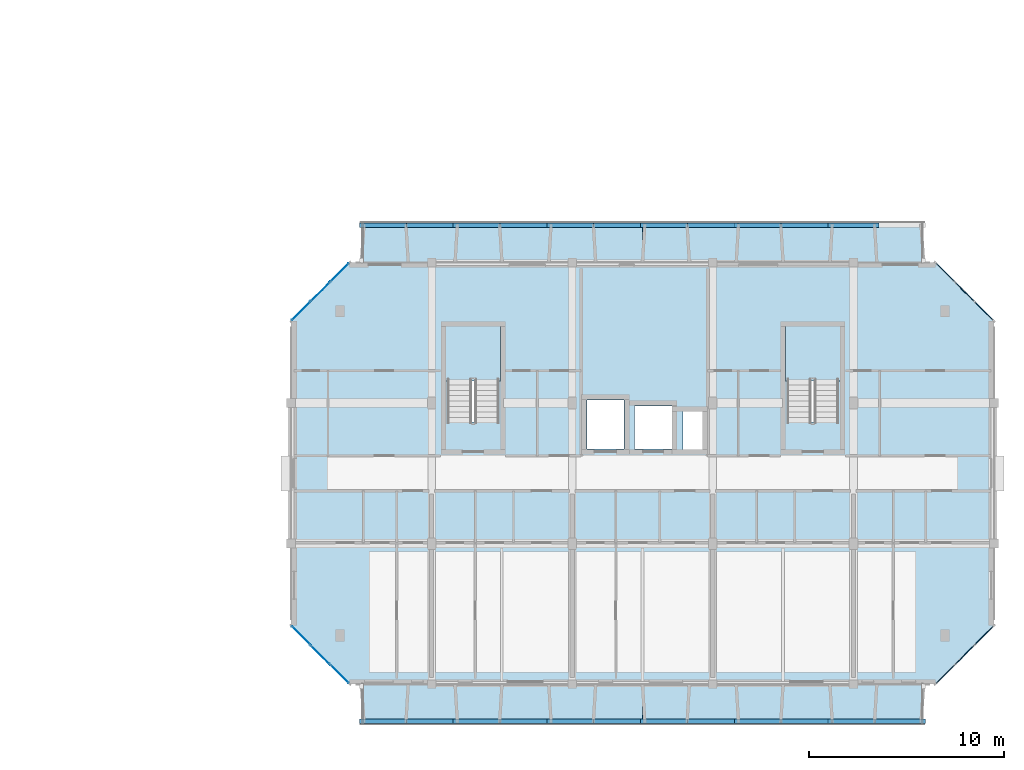
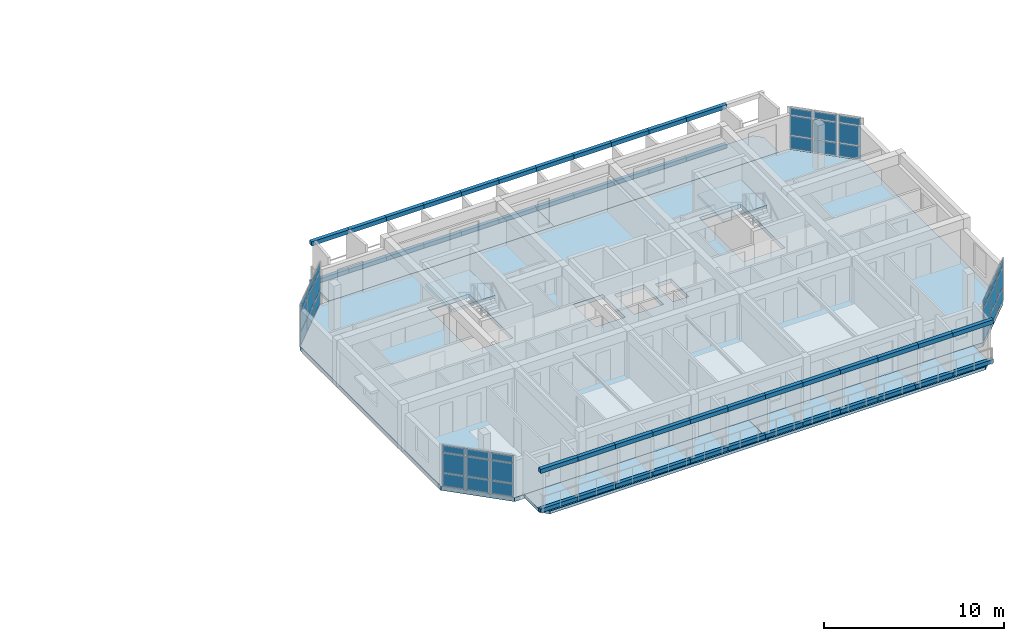
# One storey, part 16 of 43: 82 plates, 7 slabs, 6 elements without a shape of their own.
"""IFC4 building model written with IfcOpenShell, lengths in metres."""

from ifc_helpers import new_model, si_unit, direction, frame, origin, origin_2d, place, context, subcontext, project, spatial, polyline, rectangle, outline, extrude, material, layer, layer_set, type_object, element, aggregate, save


model = new_model("IFC4")

# Units and contexts
model_context = context("Model", 3, precision=1e-05, world=origin(), true_north=direction((0.0, 1.0)))
body_context = subcontext(model_context, "Body", "Model", "MODEL_VIEW")
ifc_project = project(units=[si_unit("LENGTHUNIT", "METRE"), si_unit("AREAUNIT", "SQUARE_METRE"), si_unit("VOLUMEUNIT", "CUBIC_METRE"), si_unit("PLANEANGLEUNIT", "RADIAN"), si_unit("MASSUNIT", "GRAM", prefix="KILO")], contexts=[model_context])

# Site, building, storey
site_placement = place(None, origin())
site = spatial("IfcSite", under=ifc_project, at=site_placement, CompositionType="ELEMENT")
building_placement = place(site_placement, origin())
building = spatial("IfcBuilding", under=site, at=building_placement, Name="Ochrevale Crest", CompositionType="ELEMENT")
storey_placement = place(building_placement, frame((0.0, 0.0, 30.75)))
storey = spatial("IfcBuildingStorey", under=building, at=storey_placement, Name="L09", CompositionType="ELEMENT", Elevation=30.75)

# Curtain wall, plates
ifc_material_1 = material(Name="Anodised aluminium 6063-T5", Category="aluminium")
ifc_layer_1 = layer(ifc_material_1, 0.14990234375)
ifc_layer_set_1 = layer_set([ifc_layer_1], Name="Anodised aluminium 6063-T5")
curtain_wall_type_1 = type_object("IfcCurtainWallType", Name="CW-WG-240x285", PredefinedType="NOTDEFINED", material=ifc_layer_set_1)
curtain_wall_1_placement = place(storey_placement, origin())
curtain_wall_1 = element("IfcCurtainWall", 1, at=curtain_wall_1_placement, inside=storey, type_object=curtain_wall_type_1, Name="Block C L09 chamfered corner wintergarden curtain wall 6", PredefinedType="NOTDEFINED")
ifc_material_2 = material(Name="Double-glazed low-E insulated glass unit", Category="glass")
ifc_layer_2 = layer(ifc_material_2, 0.028076171875)
ifc_layer_set_2 = layer_set([ifc_layer_2], Name="Double-glazed low-E insulated glass unit")
plate_type_1 = type_object("IfcPlateType", Name="CW-PNL-IGU28", PredefinedType="CURTAIN_PANEL", material=ifc_layer_set_2)
plate_1_placement = place(storey_placement, frame((132.086669921875, 35.48681640625, 0.06005859375), z_axis=(0.0, 0.0, 1.0), x_axis=(-0.707106781187, -0.707106781187, 0.0)))
plate_1 = element("IfcPlate", 2, at=plate_1_placement, type_object=plate_type_1, Name="CW15 panel 1.1", PredefinedType="CURTAIN_PANEL", context=body_context, shape_type="SweptSolid", body=[
    extrude(rectangle(XDim=1.3017578125, YDim=0.028076171875, at=origin_2d()), origin(), (0.0, 0.0, 1.0), 0.860107421875),
])
plate_2_placement = place(storey_placement, frame((132.086669921875, 35.48681640625, 0.97998046875), z_axis=(0.0, 0.0, 1.0), x_axis=(-0.707106781187, -0.707106781187, 0.0)))
plate_2 = element("IfcPlate", 3, at=plate_2_placement, type_object=plate_type_1, Name="CW15 panel 1.2", PredefinedType="CURTAIN_PANEL", context=body_context, shape_type="SweptSolid", body=[
    extrude(rectangle(XDim=1.3017578125, YDim=0.028076171875, at=origin_2d()), origin(), (0.0, 0.0, 1.0), 1.31494140625),
])
plate_3_placement = place(storey_placement, frame((132.086669921875, 35.48681640625, 2.35498046875), z_axis=(0.0, 0.0, 1.0), x_axis=(-0.707106781187, -0.707106781187, 0.0)))
plate_3 = element("IfcPlate", 4, at=plate_3_placement, type_object=plate_type_1, Name="CW15 panel 1.3", PredefinedType="CURTAIN_PANEL", context=body_context, shape_type="SweptSolid", body=[
    extrude(rectangle(XDim=1.3017578125, YDim=0.028076171875, at=origin_2d()), origin(), (0.0, 0.0, 1.0), 0.4599609375),
])
plate_4_placement = place(storey_placement, frame((131.10009765625, 34.5, 0.06005859375), z_axis=(0.0, 0.0, 1.0), x_axis=(-0.707106781187, -0.707106781187, 0.0)))
plate_4 = element("IfcPlate", 5, at=plate_4_placement, type_object=plate_type_1, Name="CW15 panel 2.1", PredefinedType="CURTAIN_PANEL", context=body_context, shape_type="SweptSolid", body=[
    extrude(rectangle(XDim=1.339111328125, YDim=0.028076171875, at=origin_2d()), origin(), (0.0, 0.0, 1.0), 0.860107421875),
])
plate_5_placement = place(storey_placement, frame((131.10009765625, 34.5, 0.97998046875), z_axis=(0.0, 0.0, 1.0), x_axis=(-0.707106781187, -0.707106781187, 0.0)))
plate_5 = element("IfcPlate", 6, at=plate_5_placement, type_object=plate_type_1, Name="CW15 panel 2.2", PredefinedType="CURTAIN_PANEL", context=body_context, shape_type="SweptSolid", body=[
    extrude(rectangle(XDim=1.339111328125, YDim=0.028076171875, at=origin_2d()), origin(), (0.0, 0.0, 1.0), 1.31494140625),
])
plate_6_placement = place(storey_placement, frame((131.10009765625, 34.5, 2.35498046875), z_axis=(0.0, 0.0, 1.0), x_axis=(-0.707106781187, -0.707106781187, 0.0)))
plate_6 = element("IfcPlate", 7, at=plate_6_placement, type_object=plate_type_1, Name="CW15 panel 2.3", PredefinedType="CURTAIN_PANEL", context=body_context, shape_type="SweptSolid", body=[
    extrude(rectangle(XDim=1.339111328125, YDim=0.028076171875, at=origin_2d()), origin(), (0.0, 0.0, 1.0), 0.4599609375),
])
plate_7_placement = place(storey_placement, frame((130.11328125, 33.51318359375, 0.06005859375), z_axis=(0.0, 0.0, 1.0), x_axis=(-0.707106781187, -0.707106781187, 0.0)))
plate_7 = element("IfcPlate", 8, at=plate_7_placement, type_object=plate_type_1, Name="CW15 panel 3.1", PredefinedType="CURTAIN_PANEL", context=body_context, shape_type="SweptSolid", body=[
    extrude(rectangle(XDim=1.3017578125, YDim=0.028076171875, at=origin_2d()), origin(), (0.0, 0.0, 1.0), 0.860107421875),
])
plate_8_placement = place(storey_placement, frame((130.11328125, 33.51318359375, 0.97998046875), z_axis=(0.0, 0.0, 1.0), x_axis=(-0.707106781187, -0.707106781187, 0.0)))
plate_8 = element("IfcPlate", 9, at=plate_8_placement, type_object=plate_type_1, Name="CW15 panel 3.2", PredefinedType="CURTAIN_PANEL", context=body_context, shape_type="SweptSolid", body=[
    extrude(rectangle(XDim=1.3017578125, YDim=0.028076171875, at=origin_2d()), origin(), (0.0, 0.0, 1.0), 1.31494140625),
])
plate_9_placement = place(storey_placement, frame((130.11328125, 33.51318359375, 2.35498046875), z_axis=(0.0, 0.0, 1.0), x_axis=(-0.707106781187, -0.707106781187, 0.0)))
plate_9 = element("IfcPlate", 10, at=plate_9_placement, type_object=plate_type_1, Name="CW15 panel 3.3", PredefinedType="CURTAIN_PANEL", context=body_context, shape_type="SweptSolid", body=[
    extrude(rectangle(XDim=1.3017578125, YDim=0.028076171875, at=origin_2d()), origin(), (0.0, 0.0, 1.0), 0.4599609375),
])
aggregate(curtain_wall_1, [plate_1, plate_2, plate_3, plate_4, plate_5, plate_6, plate_7, plate_8, plate_9])

ifc_layer_3 = layer(ifc_material_1, 0.14990234375)
ifc_layer_set_3 = layer_set([ifc_layer_3], Name="Anodised aluminium 6063-T5")
curtain_wall_type_2 = type_object("IfcCurtainWallType", Name="CW-WG-320x285", PredefinedType="NOTDEFINED", material=ifc_layer_set_3)
curtain_wall_2_placement = place(storey_placement, origin())
curtain_wall_2 = element("IfcCurtainWall", 11, at=curtain_wall_2_placement, inside=storey, type_object=curtain_wall_type_2, Name="Block C L09 chamfered corner wintergarden curtain wall 8", PredefinedType="NOTDEFINED")
plate_10_placement = place(storey_placement, frame((130.11328125, 16.88671875, 0.06005859375), z_axis=(0.0, 0.0, 1.0), x_axis=(0.707106781187, -0.707106781187, 0.0)))
plate_10 = element("IfcPlate", 12, at=plate_10_placement, type_object=plate_type_1, Name="CW17 panel 1.1", PredefinedType="CURTAIN_PANEL", context=body_context, shape_type="SweptSolid", body=[
    extrude(rectangle(XDim=1.3017578125, YDim=0.028076171875, at=origin_2d()), origin(), (0.0, 0.0, 1.0), 0.860107421875),
])
plate_11_placement = place(storey_placement, frame((130.11328125, 16.88671875, 0.97998046875), z_axis=(0.0, 0.0, 1.0), x_axis=(0.707106781187, -0.707106781187, 0.0)))
plate_11 = element("IfcPlate", 13, at=plate_11_placement, type_object=plate_type_1, Name="CW17 panel 1.2", PredefinedType="CURTAIN_PANEL", context=body_context, shape_type="SweptSolid", body=[
    extrude(rectangle(XDim=1.3017578125, YDim=0.028076171875, at=origin_2d()), origin(), (0.0, 0.0, 1.0), 1.31494140625),
])
plate_12_placement = place(storey_placement, frame((130.11328125, 16.88671875, 2.35498046875), z_axis=(0.0, 0.0, 1.0), x_axis=(0.707106781187, -0.707106781187, 0.0)))
plate_12 = element("IfcPlate", 14, at=plate_12_placement, type_object=plate_type_1, Name="CW17 panel 1.3", PredefinedType="CURTAIN_PANEL", context=body_context, shape_type="SweptSolid", body=[
    extrude(rectangle(XDim=1.3017578125, YDim=0.028076171875, at=origin_2d()), origin(), (0.0, 0.0, 1.0), 0.4599609375),
])
plate_13_placement = place(storey_placement, frame((131.10009765625, 15.89990234375, 0.06005859375), z_axis=(0.0, 0.0, 1.0), x_axis=(0.707106781187, -0.707106781187, 0.0)))
plate_13 = element("IfcPlate", 15, at=plate_13_placement, type_object=plate_type_1, Name="CW17 panel 2.1", PredefinedType="CURTAIN_PANEL", context=body_context, shape_type="SweptSolid", body=[
    extrude(rectangle(XDim=1.339111328125, YDim=0.028076171875, at=origin_2d()), origin(), (0.0, 0.0, 1.0), 0.860107421875),
])
plate_14_placement = place(storey_placement, frame((131.10009765625, 15.89990234375, 0.97998046875), z_axis=(0.0, 0.0, 1.0), x_axis=(0.707106781187, -0.707106781187, 0.0)))
plate_14 = element("IfcPlate", 16, at=plate_14_placement, type_object=plate_type_1, Name="CW17 panel 2.2", PredefinedType="CURTAIN_PANEL", context=body_context, shape_type="SweptSolid", body=[
    extrude(rectangle(XDim=1.339111328125, YDim=0.028076171875, at=origin_2d()), origin(), (0.0, 0.0, 1.0), 1.31494140625),
])
plate_15_placement = place(storey_placement, frame((131.10009765625, 15.89990234375, 2.35498046875), z_axis=(0.0, 0.0, 1.0), x_axis=(0.707106781187, -0.707106781187, 0.0)))
plate_15 = element("IfcPlate", 17, at=plate_15_placement, type_object=plate_type_1, Name="CW17 panel 2.3", PredefinedType="CURTAIN_PANEL", context=body_context, shape_type="SweptSolid", body=[
    extrude(rectangle(XDim=1.339111328125, YDim=0.028076171875, at=origin_2d()), origin(), (0.0, 0.0, 1.0), 0.4599609375),
])
plate_16_placement = place(storey_placement, frame((132.086669921875, 14.913330078125, 0.06005859375), z_axis=(0.0, 0.0, 1.0), x_axis=(0.707106781187, -0.707106781187, 0.0)))
plate_16 = element("IfcPlate", 18, at=plate_16_placement, type_object=plate_type_1, Name="CW17 panel 3.1", PredefinedType="CURTAIN_PANEL", context=body_context, shape_type="SweptSolid", body=[
    extrude(rectangle(XDim=1.3017578125, YDim=0.028076171875, at=origin_2d()), origin(), (0.0, 0.0, 1.0), 0.860107421875),
])
plate_17_placement = place(storey_placement, frame((132.086669921875, 14.913330078125, 0.97998046875), z_axis=(0.0, 0.0, 1.0), x_axis=(0.707106781187, -0.707106781187, 0.0)))
plate_17 = element("IfcPlate", 19, at=plate_17_placement, type_object=plate_type_1, Name="CW17 panel 3.2", PredefinedType="CURTAIN_PANEL", context=body_context, shape_type="SweptSolid", body=[
    extrude(rectangle(XDim=1.3017578125, YDim=0.028076171875, at=origin_2d()), origin(), (0.0, 0.0, 1.0), 1.31494140625),
])
plate_18_placement = place(storey_placement, frame((132.086669921875, 14.913330078125, 2.35498046875), z_axis=(0.0, 0.0, 1.0), x_axis=(0.707106781187, -0.707106781187, 0.0)))
plate_18 = element("IfcPlate", 20, at=plate_18_placement, type_object=plate_type_1, Name="CW17 panel 3.3", PredefinedType="CURTAIN_PANEL", context=body_context, shape_type="SweptSolid", body=[
    extrude(rectangle(XDim=1.3017578125, YDim=0.028076171875, at=origin_2d()), origin(), (0.0, 0.0, 1.0), 0.4599609375),
])
aggregate(curtain_wall_2, [plate_10, plate_11, plate_12, plate_13, plate_14, plate_15, plate_16, plate_17, plate_18])

ifc_layer_4 = layer(ifc_material_1, 0.14990234375)
ifc_layer_set_4 = layer_set([ifc_layer_4], Name="Anodised aluminium 6063-T5")
curtain_wall_type_3 = type_object("IfcCurtainWallType", Name="CW-WG-280x285", PredefinedType="NOTDEFINED", material=ifc_layer_set_4)
curtain_wall_3_placement = place(storey_placement, origin())
curtain_wall_3 = element("IfcCurtainWall", 21, at=curtain_wall_3_placement, inside=storey, type_object=curtain_wall_type_3, Name="Block C L09 chamfered corner wintergarden curtain wall 2", PredefinedType="NOTDEFINED")
ifc_material_3 = material(Name="Acoustic laminated low-E insulated glass unit", Category="glass")
ifc_layer_5 = layer(ifc_material_3, 0.0380859375)
ifc_layer_set_5 = layer_set([ifc_layer_5], Name="Acoustic laminated low-E insulated glass unit")
plate_type_2 = type_object("IfcPlateType", Name="CW-PNL-IGU38", PredefinedType="CURTAIN_PANEL", material=ifc_layer_set_5)
plate_19_placement = place(storey_placement, frame((163.11328125, 14.913330078125, 0.06005859375), z_axis=(0.0, 0.0, 1.0), x_axis=(0.707106781187, 0.707106781187, 0.0)))
plate_19 = element("IfcPlate", 22, at=plate_19_placement, type_object=plate_type_2, Name="CW16 panel 1.1", PredefinedType="CURTAIN_PANEL", context=body_context, shape_type="SweptSolid", body=[
    extrude(rectangle(XDim=1.3017578125, YDim=0.0380859375, at=origin_2d()), origin(), (0.0, 0.0, 1.0), 0.860107421875),
])
plate_20_placement = place(storey_placement, frame((163.11328125, 14.913330078125, 0.97998046875), z_axis=(0.0, 0.0, 1.0), x_axis=(0.707106781187, 0.707106781187, 0.0)))
plate_20 = element("IfcPlate", 23, at=plate_20_placement, type_object=plate_type_2, Name="CW16 panel 1.2", PredefinedType="CURTAIN_PANEL", context=body_context, shape_type="SweptSolid", body=[
    extrude(rectangle(XDim=1.3017578125, YDim=0.0380859375, at=origin_2d()), origin(), (0.0, 0.0, 1.0), 1.31494140625),
])
plate_21_placement = place(storey_placement, frame((163.11328125, 14.913330078125, 2.35498046875), z_axis=(0.0, 0.0, 1.0), x_axis=(0.707106781187, 0.707106781187, 0.0)))
plate_21 = element("IfcPlate", 24, at=plate_21_placement, type_object=plate_type_2, Name="CW16 panel 1.3", PredefinedType="CURTAIN_PANEL", context=body_context, shape_type="SweptSolid", body=[
    extrude(rectangle(XDim=1.3017578125, YDim=0.0380859375, at=origin_2d()), origin(), (0.0, 0.0, 1.0), 0.4599609375),
])
plate_22_placement = place(storey_placement, frame((164.10009765625, 15.89990234375, 0.06005859375), z_axis=(0.0, 0.0, 1.0), x_axis=(0.707106781187, 0.707106781187, 0.0)))
plate_22 = element("IfcPlate", 25, at=plate_22_placement, type_object=plate_type_2, Name="CW16 panel 2.1", PredefinedType="CURTAIN_PANEL", context=body_context, shape_type="SweptSolid", body=[
    extrude(rectangle(XDim=1.339111328125, YDim=0.0380859375, at=origin_2d()), origin(), (0.0, 0.0, 1.0), 0.860107421875),
])
plate_23_placement = place(storey_placement, frame((164.10009765625, 15.89990234375, 0.97998046875), z_axis=(0.0, 0.0, 1.0), x_axis=(0.707106781187, 0.707106781187, 0.0)))
plate_23 = element("IfcPlate", 26, at=plate_23_placement, type_object=plate_type_2, Name="CW16 panel 2.2", PredefinedType="CURTAIN_PANEL", context=body_context, shape_type="SweptSolid", body=[
    extrude(rectangle(XDim=1.339111328125, YDim=0.0380859375, at=origin_2d()), origin(), (0.0, 0.0, 1.0), 1.31494140625),
])
plate_24_placement = place(storey_placement, frame((164.10009765625, 15.89990234375, 2.35498046875), z_axis=(0.0, 0.0, 1.0), x_axis=(0.707106781187, 0.707106781187, 0.0)))
plate_24 = element("IfcPlate", 27, at=plate_24_placement, type_object=plate_type_2, Name="CW16 panel 2.3", PredefinedType="CURTAIN_PANEL", context=body_context, shape_type="SweptSolid", body=[
    extrude(rectangle(XDim=1.339111328125, YDim=0.0380859375, at=origin_2d()), origin(), (0.0, 0.0, 1.0), 0.4599609375),
])
plate_25_placement = place(storey_placement, frame((165.086669921875, 16.88671875, 0.06005859375), z_axis=(0.0, 0.0, 1.0), x_axis=(0.707106781187, 0.707106781187, 0.0)))
plate_25 = element("IfcPlate", 28, at=plate_25_placement, type_object=plate_type_2, Name="CW16 panel 3.1", PredefinedType="CURTAIN_PANEL", context=body_context, shape_type="SweptSolid", body=[
    extrude(rectangle(XDim=1.3017578125, YDim=0.0380859375, at=origin_2d()), origin(), (0.0, 0.0, 1.0), 0.860107421875),
])
plate_26_placement = place(storey_placement, frame((165.086669921875, 16.88671875, 0.97998046875), z_axis=(0.0, 0.0, 1.0), x_axis=(0.707106781187, 0.707106781187, 0.0)))
plate_26 = element("IfcPlate", 29, at=plate_26_placement, type_object=plate_type_2, Name="CW16 panel 3.2", PredefinedType="CURTAIN_PANEL", context=body_context, shape_type="SweptSolid", body=[
    extrude(rectangle(XDim=1.3017578125, YDim=0.0380859375, at=origin_2d()), origin(), (0.0, 0.0, 1.0), 1.31494140625),
])
plate_27_placement = place(storey_placement, frame((165.086669921875, 16.88671875, 2.35498046875), z_axis=(0.0, 0.0, 1.0), x_axis=(0.707106781187, 0.707106781187, 0.0)))
plate_27 = element("IfcPlate", 30, at=plate_27_placement, type_object=plate_type_2, Name="CW16 panel 3.3", PredefinedType="CURTAIN_PANEL", context=body_context, shape_type="SweptSolid", body=[
    extrude(rectangle(XDim=1.3017578125, YDim=0.0380859375, at=origin_2d()), origin(), (0.0, 0.0, 1.0), 0.4599609375),
])
aggregate(curtain_wall_3, [plate_19, plate_20, plate_21, plate_22, plate_23, plate_24, plate_25, plate_26, plate_27])

ifc_layer_6 = layer(ifc_material_1, 0.14990234375)
ifc_layer_set_6 = layer_set([ifc_layer_6], Name="Anodised aluminium 6063-T5")
curtain_wall_type_4 = type_object("IfcCurtainWallType", Name="CW-WG-360x285", PredefinedType="NOTDEFINED", material=ifc_layer_set_6)
curtain_wall_4_placement = place(storey_placement, origin())
curtain_wall_4 = element("IfcCurtainWall", 31, at=curtain_wall_4_placement, inside=storey, type_object=curtain_wall_type_4, Name="Block C L09 chamfered corner wintergarden curtain wall 4", PredefinedType="NOTDEFINED")
plate_28_placement = place(storey_placement, frame((165.086669921875, 33.51318359375, 0.06005859375), z_axis=(0.0, 0.0, 1.0), x_axis=(-0.707106781187, 0.707106781187, 0.0)))
plate_28 = element("IfcPlate", 32, at=plate_28_placement, type_object=plate_type_2, Name="CW18 panel 1.1", PredefinedType="CURTAIN_PANEL", context=body_context, shape_type="SweptSolid", body=[
    extrude(rectangle(XDim=1.3017578125, YDim=0.0380859375, at=origin_2d()), origin(), (0.0, 0.0, 1.0), 0.860107421875),
])
plate_29_placement = place(storey_placement, frame((165.086669921875, 33.51318359375, 0.97998046875), z_axis=(0.0, 0.0, 1.0), x_axis=(-0.707106781187, 0.707106781187, 0.0)))
plate_29 = element("IfcPlate", 33, at=plate_29_placement, type_object=plate_type_2, Name="CW18 panel 1.2", PredefinedType="CURTAIN_PANEL", context=body_context, shape_type="SweptSolid", body=[
    extrude(rectangle(XDim=1.3017578125, YDim=0.0380859375, at=origin_2d()), origin(), (0.0, 0.0, 1.0), 1.31494140625),
])
plate_30_placement = place(storey_placement, frame((165.086669921875, 33.51318359375, 2.35498046875), z_axis=(0.0, 0.0, 1.0), x_axis=(-0.707106781187, 0.707106781187, 0.0)))
plate_30 = element("IfcPlate", 34, at=plate_30_placement, type_object=plate_type_2, Name="CW18 panel 1.3", PredefinedType="CURTAIN_PANEL", context=body_context, shape_type="SweptSolid", body=[
    extrude(rectangle(XDim=1.3017578125, YDim=0.0380859375, at=origin_2d()), origin(), (0.0, 0.0, 1.0), 0.4599609375),
])
plate_31_placement = place(storey_placement, frame((164.10009765625, 34.5, 0.06005859375), z_axis=(0.0, 0.0, 1.0), x_axis=(-0.707106781187, 0.707106781187, 0.0)))
plate_31 = element("IfcPlate", 35, at=plate_31_placement, type_object=plate_type_2, Name="CW18 panel 2.1", PredefinedType="CURTAIN_PANEL", context=body_context, shape_type="SweptSolid", body=[
    extrude(rectangle(XDim=1.339111328125, YDim=0.0380859375, at=origin_2d()), origin(), (0.0, 0.0, 1.0), 0.860107421875),
])
plate_32_placement = place(storey_placement, frame((164.10009765625, 34.5, 0.97998046875), z_axis=(0.0, 0.0, 1.0), x_axis=(-0.707106781187, 0.707106781187, 0.0)))
plate_32 = element("IfcPlate", 36, at=plate_32_placement, type_object=plate_type_2, Name="CW18 panel 2.2", PredefinedType="CURTAIN_PANEL", context=body_context, shape_type="SweptSolid", body=[
    extrude(rectangle(XDim=1.339111328125, YDim=0.0380859375, at=origin_2d()), origin(), (0.0, 0.0, 1.0), 1.31494140625),
])
plate_33_placement = place(storey_placement, frame((164.10009765625, 34.5, 2.35498046875), z_axis=(0.0, 0.0, 1.0), x_axis=(-0.707106781187, 0.707106781187, 0.0)))
plate_33 = element("IfcPlate", 37, at=plate_33_placement, type_object=plate_type_2, Name="CW18 panel 2.3", PredefinedType="CURTAIN_PANEL", context=body_context, shape_type="SweptSolid", body=[
    extrude(rectangle(XDim=1.339111328125, YDim=0.0380859375, at=origin_2d()), origin(), (0.0, 0.0, 1.0), 0.4599609375),
])
plate_34_placement = place(storey_placement, frame((163.11328125, 35.48681640625, 0.06005859375), z_axis=(0.0, 0.0, 1.0), x_axis=(-0.707106781187, 0.707106781187, 0.0)))
plate_34 = element("IfcPlate", 38, at=plate_34_placement, type_object=plate_type_2, Name="CW18 panel 3.1", PredefinedType="CURTAIN_PANEL", context=body_context, shape_type="SweptSolid", body=[
    extrude(rectangle(XDim=1.3017578125, YDim=0.0380859375, at=origin_2d()), origin(), (0.0, 0.0, 1.0), 0.860107421875),
])
plate_35_placement = place(storey_placement, frame((163.11328125, 35.48681640625, 0.97998046875), z_axis=(0.0, 0.0, 1.0), x_axis=(-0.707106781187, 0.707106781187, 0.0)))
plate_35 = element("IfcPlate", 39, at=plate_35_placement, type_object=plate_type_2, Name="CW18 panel 3.2", PredefinedType="CURTAIN_PANEL", context=body_context, shape_type="SweptSolid", body=[
    extrude(rectangle(XDim=1.3017578125, YDim=0.0380859375, at=origin_2d()), origin(), (0.0, 0.0, 1.0), 1.31494140625),
])
plate_36_placement = place(storey_placement, frame((163.11328125, 35.48681640625, 2.35498046875), z_axis=(0.0, 0.0, 1.0), x_axis=(-0.707106781187, 0.707106781187, 0.0)))
plate_36 = element("IfcPlate", 40, at=plate_36_placement, type_object=plate_type_2, Name="CW18 panel 3.3", PredefinedType="CURTAIN_PANEL", context=body_context, shape_type="SweptSolid", body=[
    extrude(rectangle(XDim=1.3017578125, YDim=0.0380859375, at=origin_2d()), origin(), (0.0, 0.0, 1.0), 0.4599609375),
])
aggregate(curtain_wall_4, [plate_28, plate_29, plate_30, plate_31, plate_32, plate_33, plate_34, plate_35, plate_36])

# Plates
ifc_material_4 = material(Name="Precast concrete C40/50", Category="concrete")
ifc_layer_7 = layer(ifc_material_4, 0.06005859375)
ifc_layer_set_7 = layer_set([ifc_layer_7], Name="Precast concrete C40/50")
plate_type_3 = type_object("IfcPlateType", Name="PLT-HC-HEAD-60", PredefinedType="USERDEFINED", material=ifc_layer_set_7)
for number, where, z_axis, x_axis, name in (
    (41, (134.39990234375, 12.5, 2.669921875), (0.0, 0.0, 1.0), (1.0, 0.0, 0.0), "Block C L09 S honeycomb arched lintel fascia 1"),
    (42, (136.800048828125, 12.5, 2.669921875), (0.0, 0.0, 1.0), (1.0, 0.0, 0.0), "Block C L09 S honeycomb arched lintel fascia 2"),
    (43, (139.199951171875, 12.5, 2.669921875), (0.0, 0.0, 1.0), (1.0, 0.0, 0.0), "Block C L09 S honeycomb arched lintel fascia 3"),
    (44, (141.60009765625, 12.5, 2.669921875), (0.0, 0.0, 1.0), (1.0, 0.0, 0.0), "Block C L09 S honeycomb arched lintel fascia 4"),
    (45, (144.0, 12.5, 2.669921875), (0.0, 0.0, 1.0), (1.0, 0.0, 0.0), "Block C L09 S honeycomb arched lintel fascia 5"),
    (46, (146.39990234375, 12.5, 2.669921875), (0.0, 0.0, 1.0), (1.0, 0.0, 0.0), "Block C L09 S honeycomb arched lintel fascia 6"),
    (47, (148.800048828125, 12.5, 2.669921875), (0.0, 0.0, 1.0), (1.0, 0.0, 0.0), "Block C L09 S honeycomb arched lintel fascia 7"),
    (48, (151.199951171875, 12.5, 2.669921875), (0.0, 0.0, 1.0), (1.0, 0.0, 0.0), "Block C L09 S honeycomb arched lintel fascia 8"),
    (49, (153.60009765625, 12.5, 2.669921875), (0.0, 0.0, 1.0), (1.0, 0.0, 0.0), "Block C L09 S honeycomb arched lintel fascia 9"),
    (50, (156.0, 12.5, 2.669921875), (0.0, 0.0, 1.0), (1.0, 0.0, 0.0), "Block C L09 S honeycomb arched lintel fascia 10"),
    (51, (158.39990234375, 12.5, 2.669921875), (0.0, 0.0, 1.0), (1.0, 0.0, 0.0), "Block C L09 S honeycomb arched lintel fascia 11"),
    (52, (160.800048828125, 12.5, 2.669921875), (0.0, 0.0, 1.0), (1.0, 0.0, 0.0), "Block C L09 S honeycomb arched lintel fascia 12"),
    (53, (134.39990234375, 37.89990234375, 2.669921875), (0.0, 0.0, 1.0), (1.0, 0.0, 0.0), "Block C L09 N honeycomb arched lintel fascia 1"),
    (54, (136.800048828125, 37.89990234375, 2.669921875), (0.0, 0.0, 1.0), (1.0, 0.0, 0.0), "Block C L09 N honeycomb arched lintel fascia 2"),
    (55, (139.199951171875, 37.89990234375, 2.669921875), (0.0, 0.0, 1.0), (1.0, 0.0, 0.0), "Block C L09 N honeycomb arched lintel fascia 3"),
    (56, (141.60009765625, 37.89990234375, 2.669921875), (0.0, 0.0, 1.0), (1.0, 0.0, 0.0), "Block C L09 N honeycomb arched lintel fascia 4"),
    (57, (144.0, 37.89990234375, 2.669921875), (0.0, 0.0, 1.0), (1.0, 0.0, 0.0), "Block C L09 N honeycomb arched lintel fascia 5"),
    (58, (146.39990234375, 37.89990234375, 2.669921875), (0.0, 0.0, 1.0), (1.0, 0.0, 0.0), "Block C L09 N honeycomb arched lintel fascia 6"),
    (59, (148.800048828125, 37.89990234375, 2.669921875), (0.0, 0.0, 1.0), (1.0, 0.0, 0.0), "Block C L09 N honeycomb arched lintel fascia 7"),
    (60, (151.199951171875, 37.89990234375, 2.669921875), (0.0, 0.0, 1.0), (1.0, 0.0, 0.0), "Block C L09 N honeycomb arched lintel fascia 8"),
    (61, (153.60009765625, 37.89990234375, 2.669921875), (0.0, 0.0, 1.0), (1.0, 0.0, 0.0), "Block C L09 N honeycomb arched lintel fascia 9"),
    (62, (156.0, 37.89990234375, 2.669921875), (0.0, 0.0, 1.0), (1.0, 0.0, 0.0), "Block C L09 N honeycomb arched lintel fascia 10"),
    (63, (158.39990234375, 37.89990234375, 2.669921875), (0.0, 0.0, 1.0), (1.0, 0.0, 0.0), "Block C L09 N honeycomb arched lintel fascia 11"),
):
    element("IfcPlate", number, at=place(storey_placement, frame(where, z_axis=z_axis, x_axis=x_axis)), inside=storey, type_object=plate_type_3, Name=name, ObjectType="FACADE FASCIA PLATE", PredefinedType="USERDEFINED", context=body_context, shape_type="SweptSolid", body=[
        extrude(rectangle(XDim=2.60009765625, YDim=0.239990234375, at=origin_2d()), origin(), (0.0, 0.0, 1.0), 0.280029296875),
    ])
ifc_layer_8 = layer(ifc_material_4, 0.044921875)
ifc_layer_set_8 = layer_set([ifc_layer_8], Name="Precast concrete C40/50")
plate_type_4 = type_object("IfcPlateType", Name="PLT-HC-SILL-45", PredefinedType="USERDEFINED", material=ifc_layer_set_8)
for number, where, z_axis, x_axis, name in (
    (64, (134.39990234375, 12.5, 0.0), (0.0, 0.0, 1.0), (1.0, 0.0, 0.0), "Block C L09 S honeycomb sill coping plate 1"),
    (65, (136.800048828125, 12.5, 0.0), (0.0, 0.0, 1.0), (1.0, 0.0, 0.0), "Block C L09 S honeycomb sill coping plate 2"),
    (66, (139.199951171875, 12.5, 0.0), (0.0, 0.0, 1.0), (1.0, 0.0, 0.0), "Block C L09 S honeycomb sill coping plate 3"),
    (67, (141.60009765625, 12.5, 0.0), (0.0, 0.0, 1.0), (1.0, 0.0, 0.0), "Block C L09 S honeycomb sill coping plate 4"),
    (68, (144.0, 12.5, 0.0), (0.0, 0.0, 1.0), (1.0, 0.0, 0.0), "Block C L09 S honeycomb sill coping plate 5"),
    (69, (146.39990234375, 12.5, 0.0), (0.0, 0.0, 1.0), (1.0, 0.0, 0.0), "Block C L09 S honeycomb sill coping plate 6"),
    (70, (148.800048828125, 12.5, 0.0), (0.0, 0.0, 1.0), (1.0, 0.0, 0.0), "Block C L09 S honeycomb sill coping plate 7"),
    (71, (151.199951171875, 12.5, 0.0), (0.0, 0.0, 1.0), (1.0, 0.0, 0.0), "Block C L09 S honeycomb sill coping plate 8"),
    (72, (153.60009765625, 12.5, 0.0), (0.0, 0.0, 1.0), (1.0, 0.0, 0.0), "Block C L09 S honeycomb sill coping plate 9"),
    (73, (156.0, 12.5, 0.0), (0.0, 0.0, 1.0), (1.0, 0.0, 0.0), "Block C L09 S honeycomb sill coping plate 10"),
    (74, (158.39990234375, 12.5, 0.0), (0.0, 0.0, 1.0), (1.0, 0.0, 0.0), "Block C L09 S honeycomb sill coping plate 11"),
    (75, (160.800048828125, 12.5, 0.0), (0.0, 0.0, 1.0), (1.0, 0.0, 0.0), "Block C L09 S honeycomb sill coping plate 12"),
    (76, (134.39990234375, 37.89990234375, 0.0), (0.0, 0.0, 1.0), (1.0, 0.0, 0.0), "Block C L09 N honeycomb sill coping plate 1"),
    (77, (136.800048828125, 37.89990234375, 0.0), (0.0, 0.0, 1.0), (1.0, 0.0, 0.0), "Block C L09 N honeycomb sill coping plate 2"),
    (78, (139.199951171875, 37.89990234375, 0.0), (0.0, 0.0, 1.0), (1.0, 0.0, 0.0), "Block C L09 N honeycomb sill coping plate 3"),
    (79, (141.60009765625, 37.89990234375, 0.0), (0.0, 0.0, 1.0), (1.0, 0.0, 0.0), "Block C L09 N honeycomb sill coping plate 4"),
    (80, (144.0, 37.89990234375, 0.0), (0.0, 0.0, 1.0), (1.0, 0.0, 0.0), "Block C L09 N honeycomb sill coping plate 5"),
    (81, (146.39990234375, 37.89990234375, 0.0), (0.0, 0.0, 1.0), (1.0, 0.0, 0.0), "Block C L09 N honeycomb sill coping plate 6"),
    (82, (148.800048828125, 37.89990234375, 0.0), (0.0, 0.0, 1.0), (1.0, 0.0, 0.0), "Block C L09 N honeycomb sill coping plate 7"),
    (83, (151.199951171875, 37.89990234375, 0.0), (0.0, 0.0, 1.0), (1.0, 0.0, 0.0), "Block C L09 N honeycomb sill coping plate 8"),
    (84, (153.60009765625, 37.89990234375, 0.0), (0.0, 0.0, 1.0), (1.0, 0.0, 0.0), "Block C L09 N honeycomb sill coping plate 9"),
    (85, (156.0, 37.89990234375, 0.0), (0.0, 0.0, 1.0), (1.0, 0.0, 0.0), "Block C L09 N honeycomb sill coping plate 10"),
    (86, (158.39990234375, 37.89990234375, 0.0), (0.0, 0.0, 1.0), (1.0, 0.0, 0.0), "Block C L09 N honeycomb sill coping plate 11"),
):
    element("IfcPlate", number, at=place(storey_placement, frame(where, z_axis=z_axis, x_axis=x_axis)), inside=storey, type_object=plate_type_4, Name=name, ObjectType="SILL COPING PLATE", PredefinedType="USERDEFINED", context=body_context, shape_type="SweptSolid", body=[
        extrude(rectangle(XDim=2.60009765625, YDim=0.219970703125, at=origin_2d()), origin(), (0.0, 0.0, 1.0), 0.260009765625),
    ])

# Slabs
ifc_layer_9 = layer(ifc_material_4, 0.199951171875)
ifc_layer_set_9 = layer_set([ifc_layer_9], Name="Precast concrete C40/50")
slab_type_1 = type_object("IfcSlabType", Name="SLB-BAL-200", PredefinedType="FLOOR", material=ifc_layer_set_9)
slab_1_placement = place(storey_placement, frame((0.0, 0.0, -0.199951171875)))
element("IfcSlab", 87, at=slab_1_placement, inside=storey, type_object=slab_type_1, Name="Block C L09 S1 precast loggia balcony slab", PredefinedType="FLOOR", context=body_context, shape_type="SweptSolid", body=[
    extrude(outline(polyline([(133.64990234375, 12.300048828125), (147.60009765625, 12.300048828125), (147.60009765625, 14.39990234375), (133.199951171875, 14.39990234375), (133.199951171875, 12.75), (133.64990234375, 12.300048828125)])), origin(), (0.0, 0.0, 1.0), 0.199951171875),
])
slab_2_placement = place(storey_placement, frame((0.0, 0.0, -0.199951171875)))
element("IfcSlab", 88, at=slab_2_placement, inside=storey, type_object=slab_type_1, Name="Block C L09 S2 precast loggia balcony slab", PredefinedType="FLOOR", context=body_context, shape_type="SweptSolid", body=[
    extrude(outline(polyline([(147.60009765625, 12.300048828125), (161.550048828125, 12.300048828125), (162.0, 12.75), (162.0, 14.39990234375), (147.60009765625, 14.39990234375), (147.60009765625, 12.300048828125)])), origin(), (0.0, 0.0, 1.0), 0.199951171875),
])
slab_3_placement = place(storey_placement, frame((0.0, 0.0, -0.199951171875)))
element("IfcSlab", 89, at=slab_3_placement, inside=storey, type_object=slab_type_1, Name="Block C L09 N1 precast loggia balcony slab", PredefinedType="FLOOR", context=body_context, shape_type="SweptSolid", body=[
    extrude(outline(polyline([(133.199951171875, 36.0), (147.60009765625, 36.0), (147.60009765625, 38.10009765625), (133.64990234375, 38.10009765625), (133.199951171875, 37.64990234375), (133.199951171875, 36.0)])), origin(), (0.0, 0.0, 1.0), 0.199951171875),
])
slab_4_placement = place(storey_placement, frame((0.0, 0.0, -0.199951171875)))
element("IfcSlab", 90, at=slab_4_placement, inside=storey, type_object=slab_type_1, Name="Block C L09 N2 precast loggia balcony slab", PredefinedType="FLOOR", context=body_context, shape_type="SweptSolid", body=[
    extrude(outline(polyline([(147.60009765625, 36.0), (162.0, 36.0), (162.0, 37.64990234375), (161.550048828125, 38.10009765625), (147.60009765625, 38.10009765625), (147.60009765625, 36.0)])), origin(), (0.0, 0.0, 1.0), 0.199951171875),
])
ifc_layer_10 = layer(ifc_material_4, 0.27490234375)
ifc_layer_set_10 = layer_set([ifc_layer_10], Name="Precast concrete C40/50")
slab_type_2 = type_object("IfcSlabType", Name="SLB-RES-275", PredefinedType="FLOOR", material=ifc_layer_set_10)
slab_5_placement = place(storey_placement, frame((0.0, 0.0, -0.27490234375)))
element("IfcSlab", 91, at=slab_5_placement, inside=storey, type_object=slab_type_2, Name="Block C L09 composite hollowcore floor slab", PredefinedType="FLOOR", context=body_context, shape_type="SweptSolid", body=[
    extrude(outline(polyline([(132.60009765625, 14.39990234375), (162.60009765625, 14.39990234375), (165.60009765625, 17.39990234375), (165.60009765625, 33.0), (162.60009765625, 36.0), (132.60009765625, 36.0), (129.60009765625, 33.0), (129.60009765625, 17.39990234375), (132.60009765625, 14.39990234375)]), holes=[polyline([(140.25, 27.824951171875), (140.25, 32.72509765625), (137.60009765625, 32.72509765625), (137.60009765625, 27.824951171875), (140.25, 27.824951171875)]), polyline([(157.64990234375, 27.824951171875), (157.64990234375, 32.72509765625), (155.0, 32.72509765625), (155.0, 27.824951171875), (157.64990234375, 27.824951171875)]), polyline([(144.75, 26.449951171875), (146.64990234375, 26.449951171875), (146.64990234375, 28.949951171875), (144.75, 28.949951171875), (144.75, 26.449951171875)]), polyline([(147.199951171875, 26.449951171875), (149.10009765625, 26.449951171875), (149.10009765625, 28.64990234375), (147.199951171875, 28.64990234375), (147.199951171875, 26.449951171875)]), polyline([(149.669921875, 26.419921875), (150.679931640625, 26.419921875), (150.679931640625, 28.3798828125), (149.669921875, 28.3798828125), (149.669921875, 26.419921875)])]), origin(), (0.0, 0.0, 1.0), 0.27490234375),
])

# Stair, slab
stair_type = type_object("IfcStairType", Name="ST-CORE-DOG", PredefinedType="HALF_TURN_STAIR", material=ifc_material_4)
stair_1_placement = place(storey_placement, origin())
stair_1 = element("IfcStair", 92, at=stair_1_placement, inside=storey, type_object=stair_type, Name="L09 Block C Fire Stair 1", PredefinedType="HALF_TURN_STAIR")
ifc_layer_11 = layer(ifc_material_4, 0.199951171875)
ifc_layer_set_11 = layer_set([ifc_layer_11], Name="Precast concrete C40/50")
slab_type_3 = type_object("IfcSlabType", Name="SLB-ST-LAND", PredefinedType="LANDING", material=ifc_layer_set_11)
slab_6_placement = place(storey_placement, frame((0.0, 0.0, 1.375)))
slab_6 = element("IfcSlab", 93, at=slab_6_placement, type_object=slab_type_3, Name="ST-C1 landing 1", PredefinedType="LANDING", context=body_context, shape_type="SweptSolid", body=[
    extrude(outline(polyline([(140.330078125, 29.93505859375), (140.330078125, 32.804931640625), (137.52001953125, 32.804931640625), (137.52001953125, 29.93505859375), (140.330078125, 29.93505859375)])), origin(), (0.0, 0.0, 1.0), 0.199951171875),
])
aggregate(stair_1, [slab_6])

stair_2_placement = place(storey_placement, origin())
stair_2 = element("IfcStair", 94, at=stair_2_placement, inside=storey, type_object=stair_type, Name="L09 Block C Fire Stair 2", PredefinedType="HALF_TURN_STAIR")
slab_7_placement = place(storey_placement, frame((0.0, 0.0, 1.375)))
slab_7 = element("IfcSlab", 95, at=slab_7_placement, type_object=slab_type_3, Name="ST-C2 landing 1", PredefinedType="LANDING", context=body_context, shape_type="SweptSolid", body=[
    extrude(outline(polyline([(157.72998046875, 29.93505859375), (157.72998046875, 32.804931640625), (154.919921875, 32.804931640625), (154.919921875, 29.93505859375), (157.72998046875, 29.93505859375)])), origin(), (0.0, 0.0, 1.0), 0.199951171875),
])
aggregate(stair_2, [slab_7])

save(model, "model.ifc")
